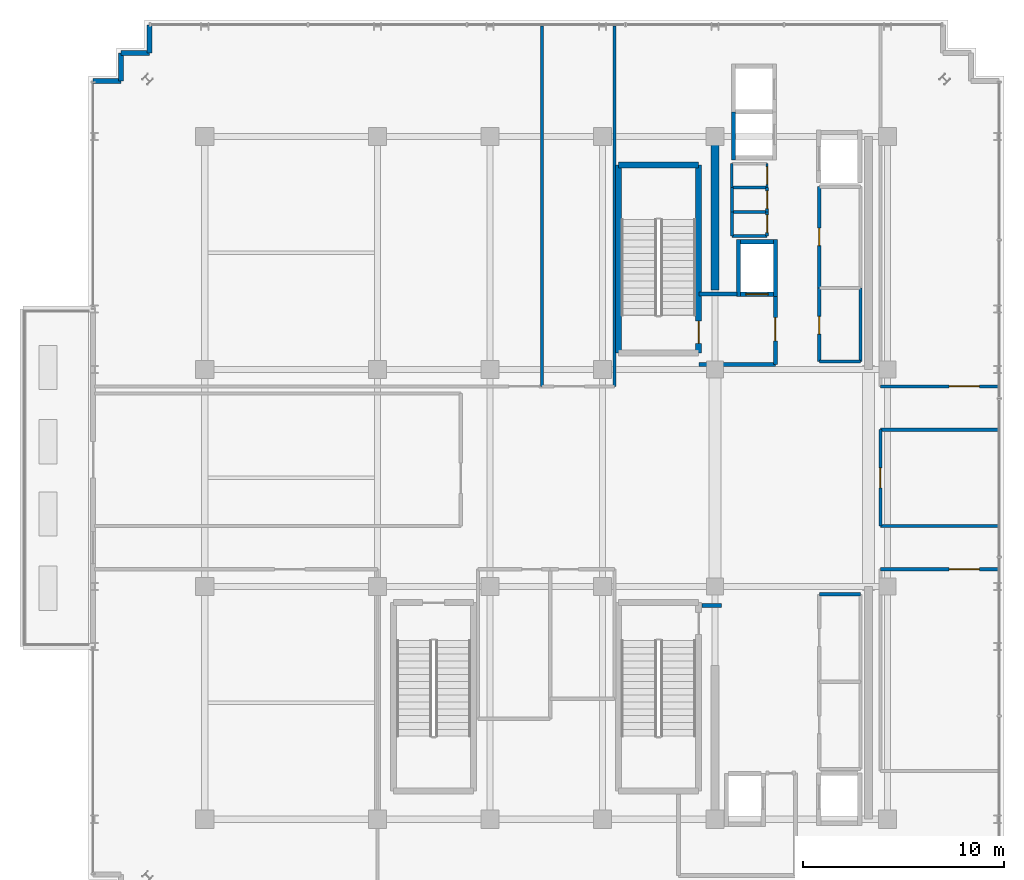
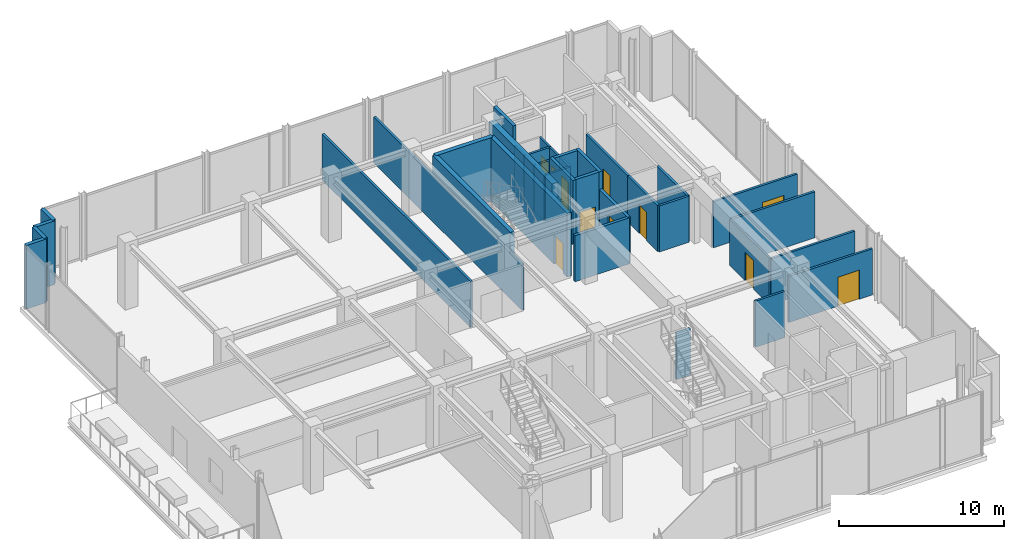
# One storey, part 24 of 28: 38 walls, 11 doors, 11 openings.
"""IFC4 building model written with IfcOpenShell, lengths in metres."""

from ifc_helpers import new_model, si_unit, direction, frame, frame_2d, origin, place, context, subcontext, project, spatial, rectangle, extrude, source, transform, mapped, material, layer, layer_set, type_object, element, fill, save


model = new_model("IFC4")

# Units and contexts
model_context = context("Model", 3, precision=1e-05, world=origin(), true_north=direction((0.0, 1.0)))
body_context = subcontext(model_context, "Body", "Model", "MODEL_VIEW")
ifc_project = project(units=[si_unit("LENGTHUNIT", "METRE"), si_unit("AREAUNIT", "SQUARE_METRE"), si_unit("VOLUMEUNIT", "CUBIC_METRE"), si_unit("PLANEANGLEUNIT", "RADIAN"), si_unit("MASSUNIT", "GRAM", prefix="KILO")], contexts=[model_context])

# Site, building, storey
site_placement = place(None, origin())
site = spatial("IfcSite", under=ifc_project, at=site_placement, CompositionType="ELEMENT")
building_placement = place(site_placement, origin())
building = spatial("IfcBuilding", under=site, at=building_placement, Name="Nahalor Promenade Grand Hotel", CompositionType="ELEMENT")
storey_placement = place(building_placement, frame((0.0, 0.0, 352.050048828125)))
storey = spatial("IfcBuildingStorey", under=building, at=storey_placement, Name="L90", CompositionType="ELEMENT", Elevation=352.050048828125)

# Walls
ifc_material_1 = material(Name="Concrete B-50 (C40/50)", Category="concrete")
ifc_layer_1 = layer(ifc_material_1, 0.39990234375)
ifc_layer_set_1 = layer_set([ifc_layer_1], Name="Concrete B-50 (C40/50)")
wall_type_1 = type_object("IfcWallType", Name="Wall-CoreShear-400", PredefinedType="SHEAR", material=ifc_layer_set_1)
shared_shape_1 = source(origin(), body_context, "Body", "SweptSolid", [
    extrude(rectangle(XDim=7.64990234375, YDim=0.39990234375, at=frame_2d((3.824951171875, 0.0))), origin(), (0.0, 0.0, 1.0), 4.699951171875),
])
wall_1_placement = place(storey_placement, frame((8.39990234375, 9.35009765625, 0.0), z_axis=(0.0, 0.0, 1.0), x_axis=(0.0, 1.0, 0.0)))
element("IfcWall", 1, at=wall_1_placement, inside=storey, type_object=wall_type_1, Name="CWALL-L90-NW", PredefinedType="SHEAR", context=body_context, shape_type="MappedRepresentation", body=[
    mapped(shared_shape_1, transform((0.0, 0.0, 0.0), scale=1.0)),
])
ifc_layer_2 = layer(ifc_material_1, 0.300048828125)
ifc_layer_set_2 = layer_set([ifc_layer_2], Name="Concrete B-50 (C40/50)")
wall_type_2 = type_object("IfcWallType", Name="Wall-ShaftShear-300", PredefinedType="SHEAR", material=ifc_layer_set_2)
shared_shape_2 = source(origin(), body_context, "Body", "SweptSolid", [
    extrude(rectangle(XDim=3.97998046875, YDim=0.300048828125, at=frame_2d((1.989990234375, 0.0))), origin(), (0.0, 0.0, 1.0), 4.699951171875),
])
wall_2_placement = place(storey_placement, frame((3.610107421875, 15.590087890625, 0.0), z_axis=(0.0, 0.0, 1.0), x_axis=(1.0, 0.0, 0.0)))
element("IfcWall", 2, at=wall_2_placement, inside=storey, type_object=wall_type_2, Name="L90 Exit Stair ST1 Shaft Wall N", PredefinedType="SHEAR", context=body_context, shape_type="MappedRepresentation", body=[
    mapped(shared_shape_2, transform((0.0, 0.0, 0.0), scale=1.0)),
])
shared_shape_3 = source(origin(), body_context, "Body", "SweptSolid", [
    extrude(rectangle(XDim=9.380126953125, YDim=0.300048828125, at=frame_2d((4.68994140625, 0.0))), origin(), (0.0, 0.0, 1.0), 4.699951171875),
])
wall_3_placement = place(storey_placement, frame((3.610107421875, 6.2099609375, 0.0), z_axis=(0.0, 0.0, 1.0), x_axis=(0.0, 1.0, 0.0)))
element("IfcWall", 3, at=wall_3_placement, inside=storey, type_object=wall_type_2, Name="L90 Exit Stair ST1 Shaft Wall W", PredefinedType="SHEAR", context=body_context, shape_type="MappedRepresentation", body=[
    mapped(shared_shape_3, transform((0.0, 0.0, 0.0), scale=1.0)),
])

# Wall, opening, door
wall_4_placement = place(storey_placement, frame((7.590087890625, 6.2099609375, 0.0), z_axis=(0.0, 0.0, 1.0), x_axis=(0.0, 1.0, 0.0)))
wall_4 = element("IfcWall", 4, at=wall_4_placement, inside=storey, type_object=wall_type_2, Name="L90 Exit Stair ST1 Shaft Wall E", PredefinedType="SHEAR", context=body_context, shape_type="MappedRepresentation", body=[
    mapped(shared_shape_3, transform((0.0, 0.0, 0.0), scale=1.0)),
])
opening_1_placement = place(wall_4_placement, frame((0.489990234375, 0.0, 0.0)))
opening_1 = element("IfcOpeningElement", 5, at=opening_1_placement, cuts=wall_4, Name="Opening D-ST1", PredefinedType="OPENING", context=body_context, shape_type="SweptSolid", body=[
    extrude(rectangle(XDim=1.10009765625, YDim=2.14990234375, at=frame_2d((0.550048828125, 1.074951171875))), frame((0.0, 0.159912109375, 0.0), z_axis=(0.0, -1.0, 0.0), x_axis=(1.0, 0.0, 0.0)), (0.0, 0.0, 1.0), 0.320068359375),
])
ifc_material_2 = material(Name="Steel S355JR", Category="steel")
door_type_1 = type_object("IfcDoorType", Name="Door-StairFire-1100", OperationType="NOTDEFINED", PredefinedType="DOOR", material=ifc_material_2)
shared_shape_4 = source(origin(), body_context, "Body", "SweptSolid", [
    extrude(rectangle(XDim=1.10009765625, YDim=2.14990234375, at=frame_2d((0.550048828125, 1.074951171875))), frame((0.0, 0.02490234375, 0.0), z_axis=(0.0, -1.0, 0.0), x_axis=(1.0, 0.0, 0.0)), (0.0, 0.0, 1.0), 0.050048828125),
])
door_1_placement = place(opening_1_placement, origin())
door_1 = element("IfcDoor", 6, at=door_1_placement, inside=storey, type_object=door_type_1, Name="DR-STAIR-ST1-L90", OperationType="SINGLE_SWING_LEFT", OverallHeight=2.14990234375, OverallWidth=1.10009765625, PredefinedType="DOOR", context=body_context, shape_type="MappedRepresentation", body=[
    mapped(shared_shape_4, transform((0.0, 0.0, 0.0), scale=1.0)),
])
fill(opening_1, door_1)

# Walls
ifc_layer_3 = layer(ifc_material_1, 0.219970703125)
ifc_layer_set_3 = layer_set([ifc_layer_3], Name="Concrete B-50 (C40/50)")
wall_type_3 = type_object("IfcWallType", Name="Wall-LiftShaft-220", PredefinedType="SHEAR", material=ifc_layer_set_3)
shared_shape_5 = source(origin(), body_context, "Body", "SweptSolid", [
    extrude(rectangle(XDim=2.385009765625, YDim=0.219970703125, at=frame_2d((1.1923828125, 0.0))), origin(), (0.0, 0.0, 1.0), 4.699951171875),
])
wall_5_placement = place(storey_placement, frame((9.330078125, 15.840087890625, 0.0), z_axis=(0.0, 0.0, 1.0), x_axis=(0.0, 1.0, 0.0)))
element("IfcWall", 7, at=wall_5_placement, inside=storey, type_object=wall_type_3, Name="L90 Lift OB1 Hoistway Wall W", PredefinedType="SHEAR", context=body_context, shape_type="MappedRepresentation", body=[
    mapped(shared_shape_5, transform((0.0, 0.0, 0.0), scale=1.0)),
])
shared_shape_6 = source(origin(), body_context, "Body", "SweptSolid", [
    extrude(rectangle(XDim=2.820068359375, YDim=0.219970703125, at=frame_2d((1.41015625, 0.0))), origin(), (0.0, 0.0, 1.0), 4.699951171875),
])
for number, where, z_axis, x_axis, name in (
    (8, (9.580078125, 9.0400390625, 0.0), (0.0, 0.0, 1.0), (0.0, 1.0, 0.0), "L90 Lift FL1 Hoistway Wall W"),
    (9, (11.419921875, 9.0400390625, 0.0), (0.0, 0.0, 1.0), (0.0, 1.0, 0.0), "L90 Lift FL1 Hoistway Wall E"),
):
    element("IfcWall", number, at=place(storey_placement, frame(where, z_axis=z_axis, x_axis=x_axis)), inside=storey, type_object=wall_type_3, Name=name, PredefinedType="SHEAR", context=body_context, shape_type="MappedRepresentation", body=[
        mapped(shared_shape_6, transform((0.0, 0.0, 0.0), scale=1.0)),
    ])

# Wall, opening, door
shared_shape_7 = source(origin(), body_context, "Body", "SweptSolid", [
    extrude(rectangle(XDim=1.6201171875, YDim=0.219970703125, at=frame_2d((0.81005859375, 0.0))), origin(), (0.0, 0.0, 1.0), 4.699951171875),
])
wall_6_placement = place(storey_placement, frame((9.68994140625, 9.14990234375, 0.0), z_axis=(0.0, 0.0, 1.0), x_axis=(1.0, 0.0, 0.0)))
wall_6 = element("IfcWall", 10, at=wall_6_placement, inside=storey, type_object=wall_type_3, Name="L90 Lift FL1 Hoistway Wall S", PredefinedType="SHEAR", context=body_context, shape_type="MappedRepresentation", body=[
    mapped(shared_shape_7, transform((0.0, 0.0, 0.0), scale=1.0)),
])
opening_2_placement = place(wall_6_placement, frame((0.260009765625, 0.0, 0.0)))
opening_2 = element("IfcOpeningElement", 11, at=opening_2_placement, cuts=wall_6, Name="Opening LD-02", PredefinedType="OPENING", context=body_context, shape_type="SweptSolid", body=[
    extrude(rectangle(XDim=1.10009765625, YDim=2.199951171875, at=frame_2d((0.550048828125, 1.10009765625))), frame((0.0, 0.119873046875, 0.0), z_axis=(0.0, -1.0, 0.0), x_axis=(1.0, 0.0, 0.0)), (0.0, 0.0, 1.0), 0.239990234375),
])
door_type_2 = type_object("IfcDoorType", Name="Door-LiftFF-1100", OperationType="DOUBLE_DOOR_SLIDING", PredefinedType="DOOR", material=ifc_material_2)
shared_shape_8 = source(origin(), body_context, "Body", "SweptSolid", [
    extrude(rectangle(XDim=1.10009765625, YDim=2.199951171875, at=frame_2d((0.550048828125, 1.10009765625))), frame((0.0, 0.02490234375, 0.0), z_axis=(0.0, -1.0, 0.0), x_axis=(1.0, 0.0, 0.0)), (0.0, 0.0, 1.0), 0.050048828125),
])
door_2_placement = place(opening_2_placement, frame((1.10009765625, 0.0, 0.0), z_axis=(0.0, 0.0, 1.0), x_axis=(-1.0, 0.0, 0.0)))
door_2 = element("IfcDoor", 12, at=door_2_placement, inside=storey, type_object=door_type_2, Name="DR-LIFT-FL1-L90", OperationType="DOUBLE_DOOR_SLIDING", OverallHeight=2.199951171875, OverallWidth=1.10009765625, PredefinedType="DOOR", context=body_context, shape_type="MappedRepresentation", body=[
    mapped(shared_shape_8, transform((0.0, 0.0, 0.0), scale=1.0)),
])
fill(opening_2, door_2)

# Walls
wall_7_placement = place(storey_placement, frame((9.68994140625, 11.75, 0.0), z_axis=(0.0, 0.0, 1.0), x_axis=(1.0, 0.0, 0.0)))
element("IfcWall", 13, at=wall_7_placement, inside=storey, type_object=wall_type_3, Name="L90 Lift FL1 Hoistway Wall N", PredefinedType="SHEAR", context=body_context, shape_type="MappedRepresentation", body=[
    mapped(shared_shape_7, transform((0.0, 0.0, 0.0), scale=1.0)),
])
ifc_material_3 = material(Name="Concrete B-40 (C32/40)", Category="concrete")
ifc_layer_4 = layer(ifc_material_3, 0.25)
ifc_layer_set_4 = layer_set([ifc_layer_4], Name="Concrete B-40 (C32/40)")
wall_type_4 = type_object("IfcWallType", Name="Wall-BronzePier-250", PredefinedType="STANDARD", material=ifc_layer_set_4)
shared_shape_9 = source(origin(), body_context, "Body", "SweptSolid", [
    extrude(rectangle(XDim=1.400146484375, YDim=0.25, at=frame_2d((0.7001953125, 0.0))), origin(), (0.0, 0.0, 1.0), 4.699951171875),
])
for number, where, z_axis, x_axis, name in (
    (14, (-19.760009765625, 21.159912109375, 0.0), (0.0, 0.0, 1.0), (0.0, 1.0, 0.0), "W-L90-SR-09"),
    (15, (-22.56005859375, 19.760009765625, 0.0), (0.0, 0.0, 1.0), (1.0, 0.0, 0.0), "W-L90-SR-12"),
):
    element("IfcWall", number, at=place(storey_placement, frame(where, z_axis=z_axis, x_axis=x_axis)), inside=storey, type_object=wall_type_4, Name=name, PredefinedType="STANDARD", context=body_context, shape_type="MappedRepresentation", body=[
        mapped(shared_shape_9, transform((0.0, 0.0, 0.0), scale=1.0)),
    ])
shared_shape_10 = source(origin(), body_context, "Body", "SweptSolid", [
    extrude(rectangle(XDim=1.39990234375, YDim=0.25, at=frame_2d((0.699951171875, 0.0))), origin(), (0.0, 0.0, 1.0), 4.699951171875),
])
for number, where, z_axis, x_axis, name in (
    (16, (-21.159912109375, 21.159912109375, 0.0), (0.0, 0.0, 1.0), (1.0, 0.0, 0.0), "W-L90-SR-10"),
    (17, (-21.159912109375, 19.760009765625, 0.0), (0.0, 0.0, 1.0), (0.0, 1.0, 0.0), "W-L90-SR-11"),
):
    element("IfcWall", number, at=place(storey_placement, frame(where, z_axis=z_axis, x_axis=x_axis)), inside=storey, type_object=wall_type_4, Name=name, PredefinedType="STANDARD", context=body_context, shape_type="MappedRepresentation", body=[
        mapped(shared_shape_10, transform((0.0, 0.0, 0.0), scale=1.0)),
    ])
ifc_layer_5 = layer(ifc_material_3, 0.199951171875)
ifc_layer_set_5 = layer_set([ifc_layer_5], Name="Concrete B-40 (C32/40)")
wall_type_5 = type_object("IfcWallType", Name="Wall-PartFire-200", PredefinedType="PARTITIONING", material=ifc_layer_set_5)
shared_shape_11 = source(origin(), body_context, "Body", "SweptSolid", [
    extrude(rectangle(XDim=3.81982421875, YDim=0.199951171875, at=frame_2d((1.909912109375, 0.0))), origin(), (0.0, 0.0, 1.0), 3.39990234375),
])
wall_8_placement = place(storey_placement, frame((7.60009765625, 5.64990234375, 0.0), z_axis=(0.0, 0.0, 1.0), x_axis=(1.0, 0.0, 0.0)))
element("IfcWall", 18, at=wall_8_placement, inside=storey, type_object=wall_type_5, Name="W-L90-FF1-S", PredefinedType="PARTITIONING", context=body_context, shape_type="MappedRepresentation", body=[
    mapped(shared_shape_11, transform((0.0, 0.0, 0.0), scale=1.0)),
])
shared_shape_12 = source(origin(), body_context, "Body", "SweptSolid", [
    extrude(rectangle(XDim=1.89990234375, YDim=0.199951171875, at=frame_2d((0.949951171875, 0.0))), origin(), (0.0, 0.0, 1.0), 3.39990234375),
])
wall_9_placement = place(storey_placement, frame((7.60009765625, 9.14990234375, 0.0), z_axis=(0.0, 0.0, 1.0), x_axis=(1.0, 0.0, 0.0)))
element("IfcWall", 19, at=wall_9_placement, inside=storey, type_object=wall_type_5, Name="W-L90-FF1-N", PredefinedType="PARTITIONING", context=body_context, shape_type="MappedRepresentation", body=[
    mapped(shared_shape_12, transform((0.0, 0.0, 0.0), scale=1.0)),
])

# Wall, opening, door
shared_shape_13 = source(origin(), body_context, "Body", "SweptSolid", [
    extrude(rectangle(XDim=3.5, YDim=0.199951171875, at=frame_2d((1.75, 0.0))), origin(), (0.0, 0.0, 1.0), 3.39990234375),
])
wall_10_placement = place(storey_placement, frame((11.419921875, 5.64990234375, 0.0), z_axis=(0.0, 0.0, 1.0), x_axis=(0.0, 1.0, 0.0)))
wall_10 = element("IfcWall", 20, at=wall_10_placement, inside=storey, type_object=wall_type_5, Name="W-L90-FF1-E", PredefinedType="PARTITIONING", context=body_context, shape_type="MappedRepresentation", body=[
    mapped(shared_shape_13, transform((0.0, 0.0, 0.0), scale=1.0)),
])
opening_3_placement = place(wall_10_placement, frame((1.175048828125, 0.0, 0.0)))
opening_3 = element("IfcOpeningElement", 21, at=opening_3_placement, cuts=wall_10, Name="Opening D-FF1", PredefinedType="OPENING", context=body_context, shape_type="SweptSolid", body=[
    extrude(rectangle(XDim=1.14990234375, YDim=2.14990234375, at=frame_2d((0.574951171875, 1.074951171875))), frame((0.0, 0.10986328125, 0.0), z_axis=(0.0, -1.0, 0.0), x_axis=(1.0, 0.0, 0.0)), (0.0, 0.0, 1.0), 0.219970703125),
])
door_type_3 = type_object("IfcDoorType", Name="Door-FFLobby-1150", OperationType="NOTDEFINED", PredefinedType="DOOR", material=ifc_material_2)
shared_shape_14 = source(origin(), body_context, "Body", "SweptSolid", [
    extrude(rectangle(XDim=1.14990234375, YDim=2.14990234375, at=frame_2d((0.574951171875, 1.074951171875))), frame((0.0, 0.02490234375, 0.0), z_axis=(0.0, -1.0, 0.0), x_axis=(1.0, 0.0, 0.0)), (0.0, 0.0, 1.0), 0.050048828125),
])
door_3_placement = place(opening_3_placement, frame((1.14990234375, 0.0, 0.0), z_axis=(0.0, 0.0, 1.0), x_axis=(-1.0, 0.0, 0.0)))
door_3 = element("IfcDoor", 22, at=door_3_placement, inside=storey, type_object=door_type_3, Name="DR-L90-FFL1", OperationType="SINGLE_SWING_LEFT", OverallHeight=2.14990234375, OverallWidth=1.14990234375, PredefinedType="DOOR", context=body_context, shape_type="MappedRepresentation", body=[
    mapped(shared_shape_14, transform((0.0, 0.0, 0.0), scale=1.0)),
])
fill(opening_3, door_3)

# Wall
shared_shape_15 = source(origin(), body_context, "Body", "SweptSolid", [
    extrude(rectangle(XDim=0.969970703125, YDim=0.199951171875, at=frame_2d((0.48486328125, 0.0))), origin(), (0.0, 0.0, 1.0), 3.39990234375),
])
wall_11_placement = place(storey_placement, frame((7.77001953125, -6.35009765625, 0.0), z_axis=(0.0, 0.0, 1.0), x_axis=(1.0, 0.0, 0.0)))
element("IfcWall", 23, at=wall_11_placement, inside=storey, type_object=wall_type_5, Name="W-L90-FF2-N2", PredefinedType="PARTITIONING", context=body_context, shape_type="MappedRepresentation", body=[
    mapped(shared_shape_15, transform((0.0, 0.0, 0.0), scale=1.0)),
])

# Wall, opening, door
ifc_material_4 = material(Name="Acoustic Mineral Gypsum", Category="gypsum")
ifc_layer_6 = layer(ifc_material_4, 0.159912109375)
ifc_layer_set_6 = layer_set([ifc_layer_6], Name="Acoustic Mineral Gypsum")
wall_type_6 = type_object("IfcWallType", Name="Wall-PartCorridor-160", PredefinedType="PARTITIONING", material=ifc_layer_set_6)
shared_shape_16 = source(origin(), body_context, "Body", "SweptSolid", [
    extrude(rectangle(XDim=4.7998046875, YDim=0.159912109375, at=frame_2d((2.39990234375, 0.0))), origin(), (0.0, 0.0, 1.0), 3.39990234375),
])
wall_12_placement = place(storey_placement, frame((16.64990234375, -2.39990234375, 0.0), z_axis=(0.0, 0.0, 1.0), x_axis=(0.0, 1.0, 0.0)))
wall_12 = element("IfcWall", 24, at=wall_12_placement, inside=storey, type_object=wall_type_6, Name="W-L90-SK02-W", PredefinedType="PARTITIONING", context=body_context, shape_type="MappedRepresentation", body=[
    mapped(shared_shape_16, transform((0.0, 0.0, 0.0), scale=1.0)),
])
opening_4_placement = place(wall_12_placement, frame((1.89990234375, 0.0, 0.0)))
opening_4 = element("IfcOpeningElement", 25, at=opening_4_placement, cuts=wall_12, Name="Opening D-04", PredefinedType="OPENING", context=body_context, shape_type="SweptSolid", body=[
    extrude(rectangle(XDim=1.0, YDim=2.10009765625, at=frame_2d((0.5, 1.050048828125))), frame((0.0, 0.08984375, 0.0), z_axis=(0.0, -1.0, 0.0), x_axis=(1.0, 0.0, 0.0)), (0.0, 0.0, 1.0), 0.179931640625),
])
door_type_4 = type_object("IfcDoorType", Name="Door-ServiceFire-1000", OperationType="NOTDEFINED", PredefinedType="DOOR", material=ifc_material_2)
shared_shape_17 = source(origin(), body_context, "Body", "SweptSolid", [
    extrude(rectangle(XDim=1.0, YDim=2.10009765625, at=frame_2d((0.5, 1.050048828125))), frame((0.0, 0.02490234375, 0.0), z_axis=(0.0, -1.0, 0.0), x_axis=(1.0, 0.0, 0.0)), (0.0, 0.0, 1.0), 0.050048828125),
])
door_4_placement = place(opening_4_placement, frame((1.0, 0.0, 0.0), z_axis=(0.0, 0.0, 1.0), x_axis=(-1.0, 0.0, 0.0)))
door_4 = element("IfcDoor", 26, at=door_4_placement, inside=storey, type_object=door_type_4, Name="DR-L90-SK02", OperationType="SINGLE_SWING_RIGHT", OverallHeight=2.10009765625, OverallWidth=1.0, PredefinedType="DOOR", context=body_context, shape_type="MappedRepresentation", body=[
    mapped(shared_shape_17, transform((0.0, 0.0, 0.0), scale=1.0)),
])
fill(opening_4, door_4)

# Walls
ifc_layer_7 = layer(ifc_material_4, 0.14990234375)
ifc_layer_set_7 = layer_set([ifc_layer_7], Name="Acoustic Mineral Gypsum")
wall_type_7 = type_object("IfcWallType", Name="Wall-PartService-150", PredefinedType="PARTITIONING", material=ifc_layer_set_7)
shared_shape_18 = source(origin(), body_context, "Body", "SweptSolid", [
    extrude(rectangle(XDim=1.75, YDim=0.14990234375, at=frame_2d((0.875, 0.0))), origin(), (0.0, 0.0, 1.0), 3.39990234375),
])
for number, where, z_axis, x_axis, name in (
    (27, (9.25, 12.050048828125, 0.0), (0.0, 0.0, 1.0), (1.0, 0.0, 0.0), "W-L90-CK3A-S"),
    (28, (9.25, 13.25, 0.0), (0.0, 0.0, 1.0), (1.0, 0.0, 0.0), "W-L90-CK3A-N"),
    (29, (9.25, 14.449951171875, 0.0), (0.0, 0.0, 1.0), (1.0, 0.0, 0.0), "W-L90-CK3B-N"),
):
    element("IfcWall", number, at=place(storey_placement, frame(where, z_axis=z_axis, x_axis=x_axis)), inside=storey, type_object=wall_type_7, Name=name, PredefinedType="PARTITIONING", context=body_context, shape_type="MappedRepresentation", body=[
        mapped(shared_shape_18, transform((0.0, 0.0, 0.0), scale=1.0)),
    ])
shared_shape_19 = source(origin(), body_context, "Body", "SweptSolid", [
    extrude(rectangle(XDim=1.199951171875, YDim=0.14990234375, at=frame_2d((0.60009765625, 0.0))), origin(), (0.0, 0.0, 1.0), 3.39990234375),
])
wall_13_placement = place(storey_placement, frame((9.25, 12.050048828125, 0.0), z_axis=(0.0, 0.0, 1.0), x_axis=(0.0, 1.0, 0.0)))
element("IfcWall", 30, at=wall_13_placement, inside=storey, type_object=wall_type_7, Name="W-L90-CK3A-W", PredefinedType="PARTITIONING", context=body_context, shape_type="MappedRepresentation", body=[
    mapped(shared_shape_19, transform((0.0, 0.0, 0.0), scale=1.0)),
])

# Wall, opening, door
wall_14_placement = place(storey_placement, frame((11.0, 12.050048828125, 0.0), z_axis=(0.0, 0.0, 1.0), x_axis=(0.0, 1.0, 0.0)))
wall_14 = element("IfcWall", 31, at=wall_14_placement, inside=storey, type_object=wall_type_7, Name="W-L90-CK3A-E", PredefinedType="PARTITIONING", context=body_context, shape_type="MappedRepresentation", body=[
    mapped(shared_shape_19, transform((0.0, 0.0, 0.0), scale=1.0)),
])
opening_5_placement = place(wall_14_placement, frame((0.159912109375, 0.0, 0.0)))
opening_5 = element("IfcOpeningElement", 32, at=opening_5_placement, cuts=wall_14, Name="Opening D-03", PredefinedType="OPENING", context=body_context, shape_type="SweptSolid", body=[
    extrude(rectangle(XDim=0.8798828125, YDim=2.10009765625, at=frame_2d((0.43994140625, 1.050048828125))), frame((0.0, 0.0849609375, 0.0), z_axis=(0.0, -1.0, 0.0), x_axis=(1.0, 0.0, 0.0)), (0.0, 0.0, 1.0), 0.169921875),
])
ifc_material_5 = material(Name="Fire-Rated Timber Composite", Category="wood")
door_type_5 = type_object("IfcDoorType", Name="Door-BathSwing-880", OperationType="NOTDEFINED", PredefinedType="DOOR", material=ifc_material_5)
shared_shape_20 = source(origin(), body_context, "Body", "SweptSolid", [
    extrude(rectangle(XDim=0.8798828125, YDim=2.10009765625, at=frame_2d((0.43994140625, 1.050048828125))), frame((0.0, 0.02490234375, 0.0), z_axis=(0.0, -1.0, 0.0), x_axis=(1.0, 0.0, 0.0)), (0.0, 0.0, 1.0), 0.050048828125),
])
door_5_placement = place(opening_5_placement, origin())
door_5 = element("IfcDoor", 33, at=door_5_placement, inside=storey, type_object=door_type_5, Name="DR-L90-CK3A", OperationType="SINGLE_SWING_LEFT", OverallHeight=2.10009765625, OverallWidth=0.8798828125, PredefinedType="DOOR", context=body_context, shape_type="MappedRepresentation", body=[
    mapped(shared_shape_20, transform((0.0, 0.0, 0.0), scale=1.0)),
])
fill(opening_5, door_5)

# Wall
wall_15_placement = place(storey_placement, frame((9.25, 13.25, 0.0), z_axis=(0.0, 0.0, 1.0), x_axis=(0.0, 1.0, 0.0)))
element("IfcWall", 34, at=wall_15_placement, inside=storey, type_object=wall_type_7, Name="W-L90-CK3B-W", PredefinedType="PARTITIONING", context=body_context, shape_type="MappedRepresentation", body=[
    mapped(shared_shape_19, transform((0.0, 0.0, 0.0), scale=1.0)),
])

# Wall, opening, door
wall_16_placement = place(storey_placement, frame((11.0, 13.25, 0.0), z_axis=(0.0, 0.0, 1.0), x_axis=(0.0, 1.0, 0.0)))
wall_16 = element("IfcWall", 35, at=wall_16_placement, inside=storey, type_object=wall_type_7, Name="W-L90-CK3B-E", PredefinedType="PARTITIONING", context=body_context, shape_type="MappedRepresentation", body=[
    mapped(shared_shape_19, transform((0.0, 0.0, 0.0), scale=1.0)),
])
opening_6_placement = place(wall_16_placement, frame((0.159912109375, 0.0, 0.0)))
opening_6 = element("IfcOpeningElement", 36, at=opening_6_placement, cuts=wall_16, Name="Opening D-03", PredefinedType="OPENING", context=body_context, shape_type="SweptSolid", body=[
    extrude(rectangle(XDim=0.8798828125, YDim=2.10009765625, at=frame_2d((0.43994140625, 1.050048828125))), frame((0.0, 0.0849609375, 0.0), z_axis=(0.0, -1.0, 0.0), x_axis=(1.0, 0.0, 0.0)), (0.0, 0.0, 1.0), 0.169921875),
])
door_6_placement = place(opening_6_placement, origin())
door_6 = element("IfcDoor", 37, at=door_6_placement, inside=storey, type_object=door_type_5, Name="DR-L90-CK3B", OperationType="SINGLE_SWING_RIGHT", OverallHeight=2.10009765625, OverallWidth=0.8798828125, PredefinedType="DOOR", context=body_context, shape_type="MappedRepresentation", body=[
    mapped(shared_shape_20, transform((0.0, 0.0, 0.0), scale=1.0)),
])
fill(opening_6, door_6)

# Wall
ifc_layer_8 = layer(ifc_material_4, 0.1201171875)
ifc_layer_set_8 = layer_set([ifc_layer_8], Name="Acoustic Mineral Gypsum")
wall_type_8 = type_object("IfcWallType", Name="Wall-PartBath-120", PredefinedType="PARTITIONING", material=ifc_layer_set_8)
shared_shape_21 = source(origin(), body_context, "Body", "SweptSolid", [
    extrude(rectangle(XDim=1.199951171875, YDim=0.1201171875, at=frame_2d((0.60009765625, 0.0))), origin(), (0.0, 0.0, 1.0), 3.39990234375),
])
wall_17_placement = place(storey_placement, frame((9.25, 14.449951171875, 0.0), z_axis=(0.0, 0.0, 1.0), x_axis=(0.0, 1.0, 0.0)))
element("IfcWall", 38, at=wall_17_placement, inside=storey, type_object=wall_type_8, Name="W-L90-CK3C-W", PredefinedType="PARTITIONING", context=body_context, shape_type="MappedRepresentation", body=[
    mapped(shared_shape_21, transform((0.0, 0.0, 0.0), scale=1.0)),
])

# Wall, opening, door
wall_18_placement = place(storey_placement, frame((11.0, 14.449951171875, 0.0), z_axis=(0.0, 0.0, 1.0), x_axis=(0.0, 1.0, 0.0)))
wall_18 = element("IfcWall", 39, at=wall_18_placement, inside=storey, type_object=wall_type_8, Name="W-L90-CK3C-E", PredefinedType="PARTITIONING", context=body_context, shape_type="MappedRepresentation", body=[
    mapped(shared_shape_21, transform((0.0, 0.0, 0.0), scale=1.0)),
])
opening_7_placement = place(wall_18_placement, frame((0.159912109375, 0.0, 0.0)))
opening_7 = element("IfcOpeningElement", 40, at=opening_7_placement, cuts=wall_18, Name="Opening D-03", PredefinedType="OPENING", context=body_context, shape_type="SweptSolid", body=[
    extrude(rectangle(XDim=0.8798828125, YDim=2.10009765625, at=frame_2d((0.43994140625, 1.050048828125))), frame((0.0, 0.070068359375, 0.0), z_axis=(0.0, -1.0, 0.0), x_axis=(1.0, 0.0, 0.0)), (0.0, 0.0, 1.0), 0.14013671875),
])
door_7_placement = place(opening_7_placement, origin())
door_7 = element("IfcDoor", 41, at=door_7_placement, inside=storey, type_object=door_type_5, Name="DR-L90-CK3C", OperationType="SINGLE_SWING_LEFT", OverallHeight=2.10009765625, OverallWidth=0.8798828125, PredefinedType="DOOR", context=body_context, shape_type="MappedRepresentation", body=[
    mapped(shared_shape_20, transform((0.0, 0.0, 0.0), scale=1.0)),
])
fill(opening_7, door_7)

# Walls
shared_shape_22 = source(origin(), body_context, "Body", "SweptSolid", [
    extrude(rectangle(XDim=2.0498046875, YDim=0.159912109375, at=frame_2d((1.02490234375, 0.0))), origin(), (0.0, 0.0, 1.0), 3.39990234375),
])
for number, where, z_axis, x_axis, name in (
    (42, (13.60009765625, 5.800048828125, 0.0), (0.0, 0.0, 1.0), (1.0, 0.0, 0.0), "W-L90-FRB1A-S"),
    (43, (13.60009765625, -5.800048828125, 0.0), (0.0, 0.0, 1.0), (1.0, 0.0, 0.0), "W-L90-FRB2B-N"),
):
    element("IfcWall", number, at=place(storey_placement, frame(where, z_axis=z_axis, x_axis=x_axis)), inside=storey, type_object=wall_type_6, Name=name, PredefinedType="PARTITIONING", context=body_context, shape_type="MappedRepresentation", body=[
        mapped(shared_shape_22, transform((0.0, 0.0, 0.0), scale=1.0)),
    ])

# Wall, opening, door
shared_shape_23 = source(origin(), body_context, "Body", "SweptSolid", [
    extrude(rectangle(XDim=3.64990234375, YDim=0.159912109375, at=frame_2d((1.824951171875, 0.0))), origin(), (0.0, 0.0, 1.0), 3.39990234375),
])
wall_19_placement = place(storey_placement, frame((13.60009765625, 5.800048828125, 0.0), z_axis=(0.0, 0.0, 1.0), x_axis=(0.0, 1.0, 0.0)))
wall_19 = element("IfcWall", 44, at=wall_19_placement, inside=storey, type_object=wall_type_6, Name="W-L90-FRB1A-W", PredefinedType="PARTITIONING", context=body_context, shape_type="MappedRepresentation", body=[
    mapped(shared_shape_23, transform((0.0, 0.0, 0.0), scale=1.0)),
])
opening_8_placement = place(wall_19_placement, frame((1.360107421875, 0.0, 0.0)))
opening_8 = element("IfcOpeningElement", 45, at=opening_8_placement, cuts=wall_19, Name="Opening D-03", PredefinedType="OPENING", context=body_context, shape_type="SweptSolid", body=[
    extrude(rectangle(XDim=0.8798828125, YDim=2.10009765625, at=frame_2d((0.43994140625, 1.050048828125))), frame((0.0, 0.08984375, 0.0), z_axis=(0.0, -1.0, 0.0), x_axis=(1.0, 0.0, 0.0)), (0.0, 0.0, 1.0), 0.179931640625),
])
door_8_placement = place(opening_8_placement, frame((0.8798828125, 0.0, 0.0), z_axis=(0.0, 0.0, 1.0), x_axis=(-1.0, 0.0, 0.0)))
door_8 = element("IfcDoor", 46, at=door_8_placement, inside=storey, type_object=door_type_5, Name="DR-L90-FRB1A", OperationType="SINGLE_SWING_RIGHT", OverallHeight=2.10009765625, OverallWidth=0.8798828125, PredefinedType="DOOR", context=body_context, shape_type="MappedRepresentation", body=[
    mapped(shared_shape_20, transform((0.0, 0.0, 0.0), scale=1.0)),
])
fill(opening_8, door_8)

# Wall
wall_20_placement = place(storey_placement, frame((15.64990234375, 5.800048828125, 0.0), z_axis=(0.0, 0.0, 1.0), x_axis=(0.0, 1.0, 0.0)))
element("IfcWall", 47, at=wall_20_placement, inside=storey, type_object=wall_type_6, Name="W-L90-FRB1A-E", PredefinedType="PARTITIONING", context=body_context, shape_type="MappedRepresentation", body=[
    mapped(shared_shape_23, transform((0.0, 0.0, 0.0), scale=1.0)),
])

# Wall, opening, door
shared_shape_24 = source(origin(), body_context, "Body", "SweptSolid", [
    extrude(rectangle(XDim=5.050048828125, YDim=0.159912109375, at=frame_2d((2.52490234375, 0.0))), origin(), (0.0, 0.0, 1.0), 3.39990234375),
])
wall_21_placement = place(storey_placement, frame((13.60009765625, 9.449951171875, 0.0), z_axis=(0.0, 0.0, 1.0), x_axis=(0.0, 1.0, 0.0)))
wall_21 = element("IfcWall", 48, at=wall_21_placement, inside=storey, type_object=wall_type_6, Name="W-L90-FRB1B-W", PredefinedType="PARTITIONING", context=body_context, shape_type="MappedRepresentation", body=[
    mapped(shared_shape_24, transform((0.0, 0.0, 0.0), scale=1.0)),
])
opening_9_placement = place(wall_21_placement, frame((2.110107421875, 0.0, 0.0)))
opening_9 = element("IfcOpeningElement", 49, at=opening_9_placement, cuts=wall_21, Name="Opening D-03", PredefinedType="OPENING", context=body_context, shape_type="SweptSolid", body=[
    extrude(rectangle(XDim=0.8798828125, YDim=2.10009765625, at=frame_2d((0.43994140625, 1.050048828125))), frame((0.0, 0.08984375, 0.0), z_axis=(0.0, -1.0, 0.0), x_axis=(1.0, 0.0, 0.0)), (0.0, 0.0, 1.0), 0.179931640625),
])
door_9_placement = place(opening_9_placement, frame((0.8798828125, 0.0, 0.0), z_axis=(0.0, 0.0, 1.0), x_axis=(-1.0, 0.0, 0.0)))
door_9 = element("IfcDoor", 50, at=door_9_placement, inside=storey, type_object=door_type_5, Name="DR-L90-FRB1B", OperationType="SINGLE_SWING_LEFT", OverallHeight=2.10009765625, OverallWidth=0.8798828125, PredefinedType="DOOR", context=body_context, shape_type="MappedRepresentation", body=[
    mapped(shared_shape_20, transform((0.0, 0.0, 0.0), scale=1.0)),
])
fill(opening_9, door_9)

# Walls
shared_shape_25 = source(origin(), body_context, "Body", "SweptSolid", [
    extrude(rectangle(XDim=5.85009765625, YDim=0.159912109375, at=frame_2d((2.925048828125, 0.0))), origin(), (0.0, 0.0, 1.0), 3.39990234375),
])
for number, where, z_axis, x_axis, name in (
    (51, (16.64990234375, -2.39990234375, 0.0), (0.0, 0.0, 1.0), (1.0, 0.0, 0.0), "W-L90-SK02-S"),
    (52, (16.64990234375, 2.39990234375, 0.0), (0.0, 0.0, 1.0), (1.0, 0.0, 0.0), "W-L90-SK02-N"),
):
    element("IfcWall", number, at=place(storey_placement, frame(where, z_axis=z_axis, x_axis=x_axis)), inside=storey, type_object=wall_type_6, Name=name, PredefinedType="PARTITIONING", context=body_context, shape_type="MappedRepresentation", body=[
        mapped(shared_shape_25, transform((0.0, 0.0, 0.0), scale=1.0)),
    ])

# Wall, opening, door
wall_22_placement = place(storey_placement, frame((16.64990234375, 4.550048828125, 0.0), z_axis=(0.0, 0.0, 1.0), x_axis=(1.0, 0.0, 0.0)))
wall_22 = element("IfcWall", 53, at=wall_22_placement, inside=storey, type_object=wall_type_6, Name="W-L90-SK06-S", PredefinedType="PARTITIONING", context=body_context, shape_type="MappedRepresentation", body=[
    mapped(shared_shape_25, transform((0.0, 0.0, 0.0), scale=1.0)),
])
opening_10_placement = place(wall_22_placement, frame((3.419921875, 0.0, 0.0)))
opening_10 = element("IfcOpeningElement", 54, at=opening_10_placement, cuts=wall_22, Name="Opening D-02", PredefinedType="OPENING", context=body_context, shape_type="SweptSolid", body=[
    extrude(rectangle(XDim=1.5, YDim=2.14990234375, at=frame_2d((0.75, 1.074951171875))), frame((0.0, 0.08984375, 0.0), z_axis=(0.0, -1.0, 0.0), x_axis=(1.0, 0.0, 0.0)), (0.0, 0.0, 1.0), 0.179931640625),
])
door_type_6 = type_object("IfcDoorType", Name="Door-SuiteDouble-1500", OperationType="DOUBLE_DOOR_SINGLE_SWING", PredefinedType="DOOR", material=ifc_material_5)
shared_shape_26 = source(origin(), body_context, "Body", "SweptSolid", [
    extrude(rectangle(XDim=1.5, YDim=2.14990234375, at=frame_2d((0.75, 1.074951171875))), frame((0.0, 0.02490234375, 0.0), z_axis=(0.0, -1.0, 0.0), x_axis=(1.0, 0.0, 0.0)), (0.0, 0.0, 1.0), 0.050048828125),
])
door_10_placement = place(opening_10_placement, origin())
door_10 = element("IfcDoor", 55, at=door_10_placement, inside=storey, type_object=door_type_6, Name="DR-L90-SK06", OperationType="DOUBLE_DOOR_SINGLE_SWING", OverallHeight=2.14990234375, OverallWidth=1.5, PredefinedType="DOOR", context=body_context, shape_type="MappedRepresentation", body=[
    mapped(shared_shape_26, transform((0.0, 0.0, 0.0), scale=1.0)),
])
fill(opening_10, door_10)

wall_23_placement = place(storey_placement, frame((16.64990234375, -4.550048828125, 0.0), z_axis=(0.0, 0.0, 1.0), x_axis=(1.0, 0.0, 0.0)))
wall_23 = element("IfcWall", 56, at=wall_23_placement, inside=storey, type_object=wall_type_6, Name="W-L90-SK07-N", PredefinedType="PARTITIONING", context=body_context, shape_type="MappedRepresentation", body=[
    mapped(shared_shape_25, transform((0.0, 0.0, 0.0), scale=1.0)),
])
opening_11_placement = place(wall_23_placement, frame((3.419921875, 0.0, 0.0)))
opening_11 = element("IfcOpeningElement", 57, at=opening_11_placement, cuts=wall_23, Name="Opening D-02", PredefinedType="OPENING", context=body_context, shape_type="SweptSolid", body=[
    extrude(rectangle(XDim=1.5, YDim=2.14990234375, at=frame_2d((0.75, 1.074951171875))), frame((0.0, 0.08984375, 0.0), z_axis=(0.0, -1.0, 0.0), x_axis=(1.0, 0.0, 0.0)), (0.0, 0.0, 1.0), 0.179931640625),
])
door_11_placement = place(opening_11_placement, frame((1.5, 0.0, 0.0), z_axis=(0.0, 0.0, 1.0), x_axis=(-1.0, 0.0, 0.0)))
door_11 = element("IfcDoor", 58, at=door_11_placement, inside=storey, type_object=door_type_6, Name="DR-L90-SK07", OperationType="DOUBLE_DOOR_SINGLE_SWING", OverallHeight=2.14990234375, OverallWidth=1.5, PredefinedType="DOOR", context=body_context, shape_type="MappedRepresentation", body=[
    mapped(shared_shape_26, transform((0.0, 0.0, 0.0), scale=1.0)),
])
fill(opening_11, door_11)

# Walls
shared_shape_27 = source(origin(), body_context, "Body", "SweptSolid", [
    extrude(rectangle(XDim=17.949951171875, YDim=0.159912109375, at=frame_2d((8.97509765625, 0.0))), origin(), (0.0, 0.0, 1.0), 3.39990234375),
])
for number, where, z_axis, x_axis, name in (
    (59, (-0.199951171875, 4.550048828125, 0.0), (0.0, 0.0, 1.0), (0.0, 1.0, 0.0), "W-L90-SK03-E"),
    (60, (3.39990234375, 4.550048828125, 0.0), (0.0, 0.0, 1.0), (0.0, 1.0, 0.0), "W-L90-SK04-E"),
):
    element("IfcWall", number, at=place(storey_placement, frame(where, z_axis=z_axis, x_axis=x_axis)), inside=storey, type_object=wall_type_6, Name=name, PredefinedType="PARTITIONING", context=body_context, shape_type="MappedRepresentation", body=[
        mapped(shared_shape_27, transform((0.0, 0.0, 0.0), scale=1.0)),
    ])

save(model, "model.ifc")
